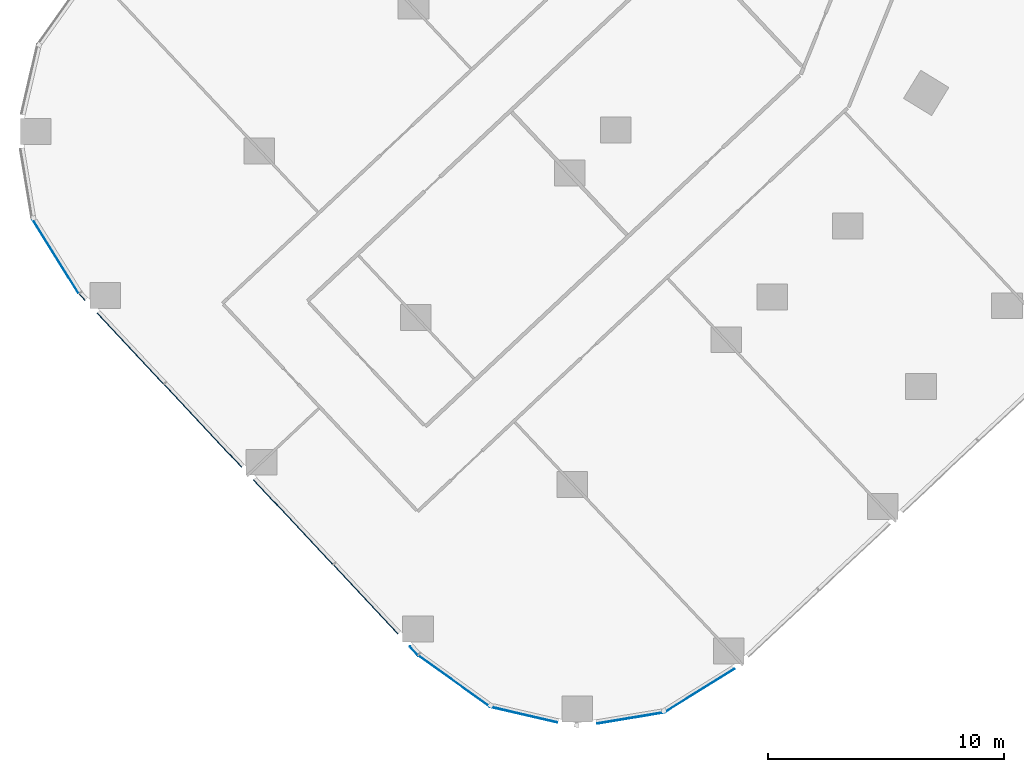
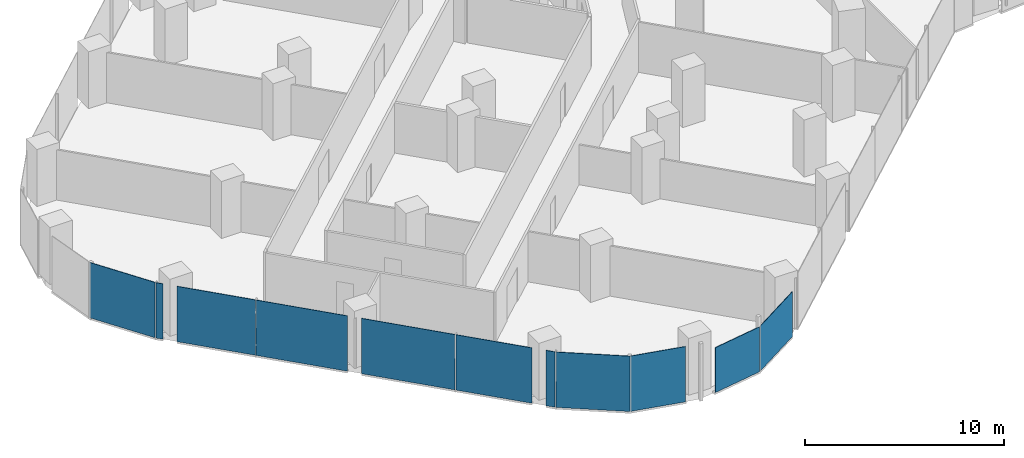
# One storey, part 17 of 33: 11 plates, 6 elements without a shape of their own.
"""IFC4 building model written with IfcOpenShell, lengths in metres."""

import ifcopenshell
import ifcopenshell.guid

model = None  # the IFC model being written
_history = None  # IfcOwnerHistory: only IFC2X3 demands one
_inside = {}  # id of a spatial element -> (the spatial element, [elements in it])
_under = {}  # id of a project, library or spatial element -> (it, [spatial elements below it])
_declared = {}  # id of a project -> (the project, [libraries it declares])
_typed = {}  # id of a type object -> (the type object, [elements of that type])
_made_of = {}  # id of a material, layer set ... -> (it, [elements and type objects made of it])


def new_model(schema):
    """Start an empty IFC model of exactly this schema.

    Asked for "IFC4X3", IfcOpenShell would pick the latest addendum, in which some entities
    have other attributes; the version numbers below select the first issue.
    IFC2X3 requires an IfcOwnerHistory on every rooted entity: one is made here for all.
    """
    global model, _history
    if schema == "IFC4X3":
        model = ifcopenshell.file(schema_version=(4, 3, 0, 0))
    else:
        model = ifcopenshell.file(schema=schema)
    _inside.clear()
    _under.clear()
    _declared.clear()
    _typed.clear()
    _made_of.clear()
    _history = None
    if model.schema == "IFC2X3":
        org = make("IfcOrganization", Name="unknown")
        user = make(
            "IfcPersonAndOrganization",
            ThePerson=make("IfcPerson", FamilyName="unknown"),
            TheOrganization=org,
        )
        app = make(
            "IfcApplication",
            ApplicationDeveloper=org,
            Version="unknown",
            ApplicationFullName="unknown",
            ApplicationIdentifier="unknown",
        )
        _history = make(
            "IfcOwnerHistory",
            OwningUser=user,
            OwningApplication=app,
            ChangeAction="ADDED",
            CreationDate=0,
        )
    return model


def make(cls, **values):
    """One entity of the class cls with the attributes given. An attribute that is None is left unset."""
    return model.create_entity(
        cls, **{name: value for name, value in values.items() if value is not None}
    )


def rooted(cls, **values):
    """An entity with a GlobalId (a new one), such as an element, a storey or a relation."""
    return make(cls, GlobalId=ifcopenshell.guid.new(), OwnerHistory=_history, **values)


def si_unit(unit_type, name, prefix=None):
    """IfcSIUnit, for example si_unit("LENGTHUNIT", "METRE", prefix="MILLI")."""
    return make("IfcSIUnit", UnitType=unit_type, Prefix=prefix, Name=name)


def assignment(units):
    """IfcUnitAssignment: the units of a project."""
    return None if units is None else make("IfcUnitAssignment", Units=units)


def point(xyz):
    """IfcCartesianPoint."""
    return None if xyz is None else make("IfcCartesianPoint", Coordinates=xyz)


def direction(xyz):
    """IfcDirection."""
    return None if xyz is None else make("IfcDirection", DirectionRatios=xyz)


def frame(location, z_axis=None, x_axis=None):
    """IfcAxis2Placement3D, a coordinate frame: its origin and axes. An axis left out is left unset."""
    return make(
        "IfcAxis2Placement3D",
        Location=point(location),
        Axis=direction(z_axis),
        RefDirection=direction(x_axis),
    )


def frame_2d(location, x_axis=None):
    """IfcAxis2Placement2D, a coordinate frame in the plane: its origin and x axis."""
    return make(
        "IfcAxis2Placement2D", Location=point(location), RefDirection=direction(x_axis)
    )


def origin():
    """The frame at (0, 0, 0) with its axes left unset."""
    return frame((0.0, 0.0, 0.0))


def origin_2d():
    """The frame at (0, 0) in the plane with its x axis left unset."""
    return frame_2d((0.0, 0.0))


def place(relative_to, where):
    """IfcLocalPlacement: puts the frame where relative to a parent placement (None: the world)."""
    return make(
        "IfcLocalPlacement", PlacementRelTo=relative_to, RelativePlacement=where
    )


def context(
    kind, dimensions, precision=None, world=None, true_north=None, identifier=None
):
    """IfcGeometricRepresentationContext, for example the 3D "Model" context."""
    return make(
        "IfcGeometricRepresentationContext",
        ContextIdentifier=identifier,
        ContextType=kind,
        CoordinateSpaceDimension=dimensions,
        Precision=precision,
        WorldCoordinateSystem=world,
        TrueNorth=true_north,
    )


def subcontext(parent, identifier, kind, view, scale=None):
    """IfcGeometricRepresentationSubContext, for example "Body" below "Model"."""
    return make(
        "IfcGeometricRepresentationSubContext",
        ContextIdentifier=identifier,
        ContextType=kind,
        ParentContext=parent,
        TargetScale=scale,
        TargetView=view,
    )


def project(units=None, contexts=None):
    """IfcProject with its units and contexts."""
    return rooted(
        "IfcProject",
        Name="project",
        RepresentationContexts=contexts,
        UnitsInContext=assignment(units),
    )


def spatial(cls, under=None, at=None, **own):
    """A site, building, storey or space (cls), placed at a placement, below another one or the project."""
    s = rooted(cls, ObjectPlacement=at, **own)
    if under is not None:
        _under.setdefault(under.id(), (under, []))[1].append(s)
    return s


def profile(cls, at=None, kind="AREA", **sizes):
    """A parametric profile (cls). Its sizes go by their IFC names, for example OverallWidth=200.0."""
    return make(cls, ProfileType=kind, Position=at, **sizes)


def rectangle(**sizes):
    """IfcRectangleProfileDef."""
    return profile("IfcRectangleProfileDef", **sizes)


def extrude(swept, where, along, depth):
    """IfcExtrudedAreaSolid: the profile swept, set in the frame where, extruded along a direction by depth."""
    return make(
        "IfcExtrudedAreaSolid",
        SweptArea=swept,
        Position=where,
        ExtrudedDirection=direction(along),
        Depth=depth,
    )


def shape(context_of_items, identifier, shape_type, items):
    """IfcShapeRepresentation: the items that make up one representation, for example the "Body"."""
    return make(
        "IfcShapeRepresentation",
        ContextOfItems=context_of_items,
        RepresentationIdentifier=identifier,
        RepresentationType=shape_type,
        Items=items,
    )


def material(Name=None, Category=None):
    """IfcMaterial."""
    return make("IfcMaterial", Name=Name, Category=Category)


def layer(
    of_material, thickness, ventilated=None, Name=None, Category=None, Priority=None
):
    """IfcMaterialLayer: one layer of a wall or slab, of a material (None: an air gap)."""
    return make(
        "IfcMaterialLayer",
        Material=of_material,
        LayerThickness=thickness,
        IsVentilated=ventilated,
        Name=Name,
        Category=Category,
        Priority=Priority,
    )


def layer_set(layers, Name=None):
    """IfcMaterialLayerSet."""
    return make("IfcMaterialLayerSet", MaterialLayers=layers, LayerSetName=Name)


def made_of(thing, what):
    """Note that an element or type object is made of a material, layer set ...; save() writes the relation."""
    if what is not None:
        _made_of.setdefault(what.id(), (what, []))[1].append(thing)
    return thing


def type_object(cls, material=None, **own):
    """A type object (cls), such as IfcWallType, which elements share."""
    return made_of(rooted(cls, **own), material)


def element(
    cls,
    number,
    at=None,
    inside=None,
    cuts=None,
    type_object=None,
    material=None,
    context=None,
    identifier="Body",
    shape_type=None,
    held_by="IfcProductDefinitionShape",
    body=None,
    shapes=None,
    **own,
):
    """One element of the class cls, such as IfcWall. Its Tag is "e" and its number.

    at: its placement. inside: the storey or other place that contains it. cuts: it is an
    opening in that element (IfcRelVoidsElement). A single representation is given by context,
    identifier, shape_type and body (its items); several are given by shapes. held_by: the class
    of the entity that holds the representations. save() writes the other relations.
    """
    e = rooted(cls, Tag="e%d" % number, ObjectPlacement=at, **own)
    if body is not None:
        shapes = [shape(context, identifier, shape_type, body)]
    if shapes is not None:
        e.Representation = make(held_by, Representations=shapes)
    if inside is not None:
        _inside.setdefault(inside.id(), (inside, []))[1].append(e)
    if cuts is not None:
        rooted(
            "IfcRelVoidsElement", RelatingBuildingElement=cuts, RelatedOpeningElement=e
        )
    if type_object is not None:
        _typed.setdefault(type_object.id(), (type_object, []))[1].append(e)
    return made_of(e, material)


def aggregate(whole, parts):
    """IfcRelAggregates: a whole, such as a stair, and the parts it consists of."""
    return rooted("IfcRelAggregates", RelatingObject=whole, RelatedObjects=parts)


def save(model, path):
    """Write the relations noted so far, then the file.

    IfcRelAggregates (storeys below a building ...), IfcRelContainedInSpatialStructure (elements
    in a storey), IfcRelDefinesByType, IfcRelAssociatesMaterial and IfcRelDeclares: one each for
    every whole, place, type object, material and project.
    """
    for whole, parts in _under.values():
        aggregate(whole, parts)
    for where, things in _inside.values():
        rooted(
            "IfcRelContainedInSpatialStructure",
            RelatedElements=things,
            RelatingStructure=where,
        )
    for kind, things in _typed.values():
        rooted("IfcRelDefinesByType", RelatedObjects=things, RelatingType=kind)
    for what, things in _made_of.values():
        rooted("IfcRelAssociatesMaterial", RelatedObjects=things, RelatingMaterial=what)
    for by, libraries in _declared.values():
        rooted("IfcRelDeclares", RelatingContext=by, RelatedDefinitions=libraries)
    model.write(path)


model = new_model("IFC4")

# Units and contexts
model_context = context("Model", 3, precision=1e-05, world=origin(), true_north=direction((0.0, 1.0)))
body_context = subcontext(model_context, "Body", "Model", "MODEL_VIEW")
ifc_project = project(units=[si_unit("LENGTHUNIT", "METRE"), si_unit("AREAUNIT", "SQUARE_METRE"), si_unit("VOLUMEUNIT", "CUBIC_METRE"), si_unit("PLANEANGLEUNIT", "RADIAN"), si_unit("MASSUNIT", "GRAM", prefix="KILO")], contexts=[model_context])

# Site, building, storey
site_placement = place(None, origin())
site = spatial("IfcSite", under=ifc_project, at=site_placement, CompositionType="ELEMENT")
building_placement = place(site_placement, origin())
building = spatial("IfcBuilding", under=site, at=building_placement, Name="Orlundy Tower", CompositionType="ELEMENT")
storey_placement = place(building_placement, frame((0.0, 0.0, 51.300048828125)))
storey = spatial("IfcBuildingStorey", under=building, at=storey_placement, Name="L11", CompositionType="ELEMENT", Elevation=51.300048828125)

# Curtain wall, plate
ifc_material_1 = material(Name="Aluminium bronze anodised", Category="aluminium")
curtain_wall_type = type_object("IfcCurtainWallType", Name="CW1 wall", PredefinedType="NOTDEFINED", material=ifc_material_1)
curtain_wall_1_placement = place(storey_placement, origin())
curtain_wall_1 = element("IfcCurtainWall", 1, at=curtain_wall_1_placement, inside=storey, type_object=curtain_wall_type, Name="CW1 run 019", PredefinedType="NOTDEFINED")
ifc_material_2 = material(Name="Tinted glass", Category="glass")
ifc_layer = layer(ifc_material_2, 0.031982421875)
ifc_layer_set = layer_set([ifc_layer], Name="CW1 glass panel 32")
plate_type = type_object("IfcPlateType", Name="CW1 glass panel 32", PredefinedType="CURTAIN_PANEL", material=ifc_layer_set)
plate_1_placement = place(storey_placement, frame((-25.117431640625, -50.668701171875, -0.30029296875), z_axis=(0.0, 0.0, 1.0), x_axis=(-0.848951715627, -0.528470419734, 0.0)))
plate_1 = element("IfcPlate", 2, at=plate_1_placement, type_object=plate_type, Name="CW1 panel", PredefinedType="CURTAIN_PANEL", context=body_context, shape_type="SweptSolid", body=[
    extrude(rectangle(XDim=3.49951171875, YDim=0.031982421875, at=origin_2d()), origin(), (0.0, 0.0, 1.0), 2.760009765625),
])
aggregate(curtain_wall_1, [plate_1])

curtain_wall_2_placement = place(storey_placement, origin())
curtain_wall_2 = element("IfcCurtainWall", 3, at=curtain_wall_2_placement, inside=storey, type_object=curtain_wall_type, Name="CW1 run 020", PredefinedType="NOTDEFINED")
plate_2_placement = place(storey_placement, frame((-28.02587890625, -51.82958984375, -0.30029296875), z_axis=(0.0, 0.0, 1.0), x_axis=(-0.986495831177, -0.163786370223, 0.0)))
plate_2 = element("IfcPlate", 4, at=plate_2_placement, type_object=plate_type, Name="CW1 panel", PredefinedType="CURTAIN_PANEL", context=body_context, shape_type="SweptSolid", body=[
    extrude(rectangle(XDim=2.885009765625, YDim=0.031982421875, at=origin_2d()), origin(), (0.0, 0.0, 1.0), 2.760009765625),
])
aggregate(curtain_wall_2, [plate_2])

curtain_wall_3_placement = place(storey_placement, origin())
curtain_wall_3 = element("IfcCurtainWall", 5, at=curtain_wall_3_placement, inside=storey, type_object=curtain_wall_type, Name="CW1 run 021", PredefinedType="NOTDEFINED")
plate_3_placement = place(storey_placement, frame((-32.573486328125, -51.688232421875, -0.300048828125), z_axis=(0.0, 0.0, 1.0), x_axis=(-0.974053680026, 0.226317097073, 0.0)))
plate_3 = element("IfcPlate", 6, at=plate_3_placement, type_object=plate_type, Name="CW1 panel", PredefinedType="CURTAIN_PANEL", context=body_context, shape_type="SweptSolid", body=[
    extrude(rectangle(XDim=2.9248046875, YDim=0.031982421875, at=origin_2d()), origin(), (0.0, 0.0, 1.0), 3.39990234375),
])
aggregate(curtain_wall_3, [plate_3])

curtain_wall_4_placement = place(storey_placement, origin())
curtain_wall_4 = element("IfcCurtainWall", 7, at=curtain_wall_4_placement, inside=storey, type_object=curtain_wall_type, Name="CW1 run 022", PredefinedType="NOTDEFINED")
plate_4_placement = place(storey_placement, frame((-35.514404296875, -50.27197265625, -0.300048828125), z_axis=(0.0, 0.0, 1.0), x_axis=(-0.813204454711, 0.58197810512, 0.0)))
plate_4 = element("IfcPlate", 8, at=plate_4_placement, type_object=plate_type, Name="CW1 panel", PredefinedType="CURTAIN_PANEL", context=body_context, shape_type="SweptSolid", body=[
    extrude(rectangle(XDim=3.72998046875, YDim=0.031982421875, at=origin_2d()), origin(), (0.0, 0.0, 1.0), 3.39990234375),
])
aggregate(curtain_wall_4, [plate_4])

# Curtain wall, plates
curtain_wall_5_placement = place(storey_placement, origin())
curtain_wall_5 = element("IfcCurtainWall", 9, at=curtain_wall_5_placement, inside=storey, type_object=curtain_wall_type, Name="CW1 run 023", PredefinedType="NOTDEFINED")
plate_5_placement = place(storey_placement, frame((-37.232666015625, -48.978759765625, -0.300048828125), z_axis=(0.0, 0.0, 1.0), x_axis=(-0.684126430551, 0.729363439598, 0.0)))
plate_5 = element("IfcPlate", 10, at=plate_5_placement, type_object=plate_type, Name="CW1 panel", PredefinedType="CURTAIN_PANEL", context=body_context, shape_type="SweptSolid", body=[
    extrude(rectangle(XDim=0.4794921875, YDim=0.031982421875, at=origin_2d()), origin(), (0.0, 0.0, 1.0), 3.39990234375),
])
plate_6_placement = place(storey_placement, frame((-39.27001953125, -46.806640625, -0.300048828125), z_axis=(0.0, 0.0, 1.0), x_axis=(-0.684126430551, 0.729363439598, 0.0)))
plate_6 = element("IfcPlate", 11, at=plate_6_placement, type_object=plate_type, Name="CW1 panel", PredefinedType="CURTAIN_PANEL", context=body_context, shape_type="SweptSolid", body=[
    extrude(rectangle(XDim=3.996826171875, YDim=0.031982421875, at=origin_2d()), origin(), (0.0, 0.0, 1.0), 3.39990234375),
])
plate_7_placement = place(storey_placement, frame((-42.352294921875, -43.520751953125, -0.300048828125), z_axis=(0.0, 0.0, 1.0), x_axis=(-0.684126430551, 0.729363439598, 0.0)))
plate_7 = element("IfcPlate", 12, at=plate_7_placement, type_object=plate_type, Name="CW1 panel", PredefinedType="CURTAIN_PANEL", context=body_context, shape_type="SweptSolid", body=[
    extrude(rectangle(XDim=4.91357421875, YDim=0.031982421875, at=origin_2d()), origin(), (0.0, 0.0, 1.0), 3.39990234375),
])
plate_8_placement = place(storey_placement, frame((-46.179931640625, -39.43994140625, -0.300048828125), z_axis=(0.0, 0.0, 1.0), x_axis=(-0.684126430551, 0.729363439598, 0.0)))
plate_8 = element("IfcPlate", 13, at=plate_8_placement, type_object=plate_type, Name="CW1 panel", PredefinedType="CURTAIN_PANEL", context=body_context, shape_type="SweptSolid", body=[
    extrude(rectangle(XDim=4.797119140625, YDim=0.031982421875, at=origin_2d()), origin(), (0.0, 0.0, 1.0), 3.39990234375),
])
plate_9_placement = place(storey_placement, frame((-49.261962890625, -36.154052734375, -0.300048828125), z_axis=(0.0, 0.0, 1.0), x_axis=(-0.684126430551, 0.729363439598, 0.0)))
plate_9 = element("IfcPlate", 14, at=plate_9_placement, type_object=plate_type, Name="CW1 panel", PredefinedType="CURTAIN_PANEL", context=body_context, shape_type="SweptSolid", body=[
    extrude(rectangle(XDim=4.113525390625, YDim=0.031982421875, at=origin_2d()), origin(), (0.0, 0.0, 1.0), 3.39990234375),
])
plate_10_placement = place(storey_placement, frame((-51.29931640625, -33.982177734375, -0.300048828125), z_axis=(0.0, 0.0, 1.0), x_axis=(-0.684126430551, 0.729363439598, 0.0)))
plate_10 = element("IfcPlate", 15, at=plate_10_placement, type_object=plate_type, Name="CW1 panel", PredefinedType="CURTAIN_PANEL", context=body_context, shape_type="SweptSolid", body=[
    extrude(rectangle(XDim=0.36328125, YDim=0.031982421875, at=origin_2d()), origin(), (0.0, 0.0, 1.0), 3.39990234375),
])
aggregate(curtain_wall_5, [plate_5, plate_6, plate_7, plate_8, plate_9, plate_10])

# Curtain wall, plate
curtain_wall_6_placement = place(storey_placement, origin())
curtain_wall_6 = element("IfcCurtainWall", 16, at=curtain_wall_6_placement, inside=storey, type_object=curtain_wall_type, Name="CW1 run 024", PredefinedType="NOTDEFINED")
plate_11_placement = place(storey_placement, frame((-52.440185546875, -32.22705078125, -0.300048828125), z_axis=(0.0, 0.0, 1.0), x_axis=(-0.528785864693, 0.848755270558, 0.0)))
plate_11 = element("IfcPlate", 17, at=plate_11_placement, type_object=plate_type, Name="CW1 panel", PredefinedType="CURTAIN_PANEL", context=body_context, shape_type="SweptSolid", body=[
    extrude(rectangle(XDim=3.730224609375, YDim=0.031982421875, at=origin_2d()), origin(), (0.0, 0.0, 1.0), 3.39990234375),
])
aggregate(curtain_wall_6, [plate_11])

save(model, "model.ifc")
